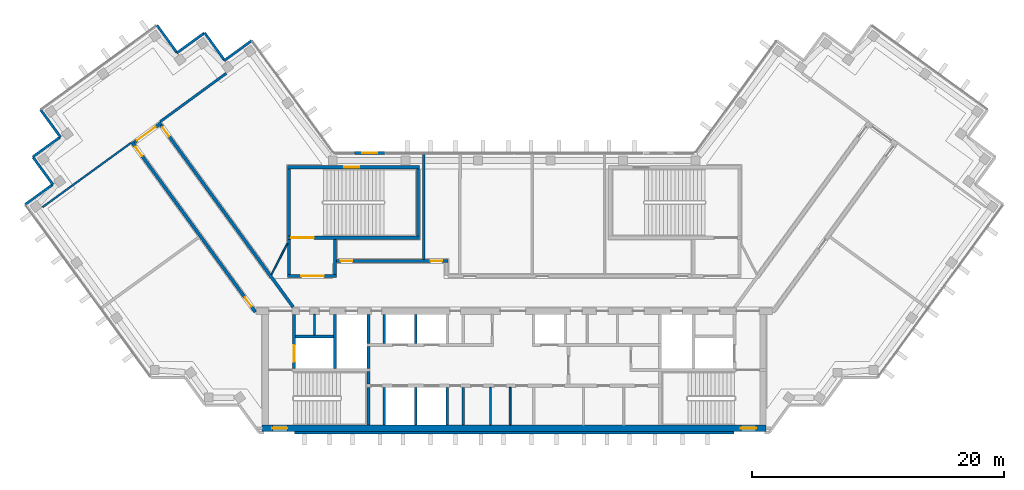
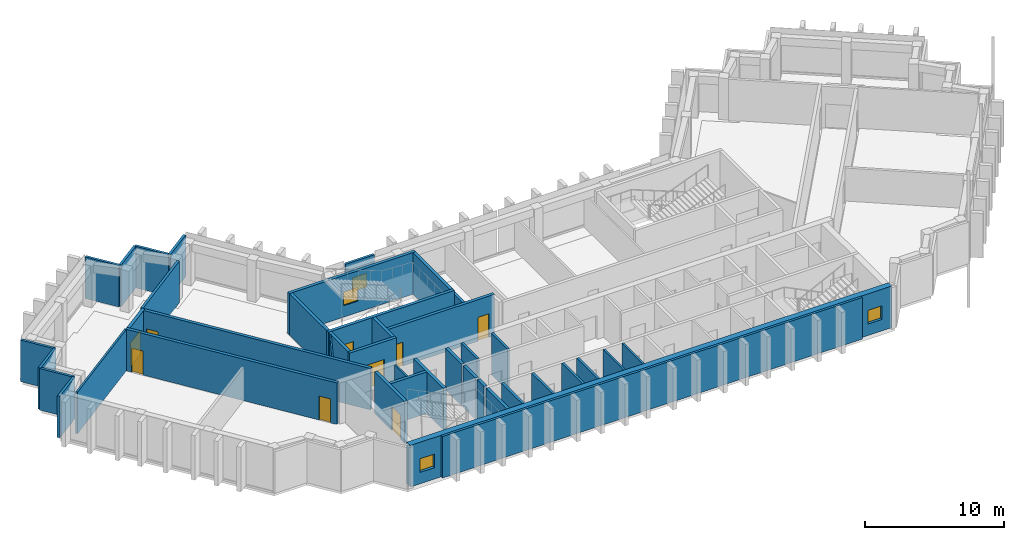
# One storey, part 4 of 10: 42 walls, 9 doors, 4 windows, 13 openings.
"""IFC4 building model written with IfcOpenShell, lengths in metres."""

from ifc_helpers import new_model, si_unit, direction, frame, frame_2d, origin, place, context, subcontext, project, spatial, rectangle, extrude, material, layer, layer_set, type_object, element, fill, save


model = new_model("IFC4")

# Units and contexts
model_context = context("Model", 3, precision=1e-05, world=origin(), true_north=direction((0.0, 1.0)))
body_context = subcontext(model_context, "Body", "Model", "MODEL_VIEW")
ifc_project = project(units=[si_unit("LENGTHUNIT", "METRE"), si_unit("AREAUNIT", "SQUARE_METRE"), si_unit("VOLUMEUNIT", "CUBIC_METRE"), si_unit("PLANEANGLEUNIT", "RADIAN"), si_unit("MASSUNIT", "GRAM", prefix="KILO")], contexts=[model_context])

# Site, building, storey
site_placement = place(None, origin())
site = spatial("IfcSite", under=ifc_project, at=site_placement, CompositionType="ELEMENT")
building_placement = place(site_placement, origin())
building = spatial("IfcBuilding", under=site, at=building_placement, Name="Quipu Civic Tower", CompositionType="ELEMENT")
storey_placement = place(building_placement, frame((0.0, 0.0, 339.0)))
storey = spatial("IfcBuildingStorey", under=building, at=storey_placement, Name="L79", CompositionType="ELEMENT", Elevation=339.0)

# Walls
ifc_material_1 = material(Name="Double gypsum plasterboard with mineral wool")
ifc_layer_1 = layer(ifc_material_1, 0.14990234375)
ifc_layer_set_1 = layer_set([ifc_layer_1], Name="Double gypsum plasterboard with mineral wool")
wall_type_1 = type_object("IfcWallType", Name="Acoustic partition 150 plasterboard", PredefinedType="PARTITIONING", material=ifc_layer_set_1)
wall_1_placement = place(storey_placement, frame((-37.42919921875, 6.805419921875, 0.0), z_axis=(0.0, 0.0, 1.0), x_axis=(0.809020922653, 0.587779845444, 0.0)))
element("IfcWall", 1, at=wall_1_placement, inside=storey, type_object=wall_type_1, Name="Partition P04", PredefinedType="PARTITIONING", context=body_context, shape_type="SweptSolid", body=[
    extrude(rectangle(XDim=8.670166015625, YDim=0.14990234375, at=frame_2d((4.3349609375, 0.0))), origin(), (0.0, 0.0, 1.0), 3.64990234375),
])
ifc_material_2 = material(Name="Fired clay blockwork", Category="masonry")
ifc_layer_2 = layer(ifc_material_2, 0.199951171875)
ifc_layer_set_2 = layer_set([ifc_layer_2], Name="Fired clay blockwork")
wall_type_2 = type_object("IfcWallType", Name="Blockwork wall 200", PredefinedType="SOLIDWALL", material=ifc_layer_set_2)
wall_2_placement = place(storey_placement, frame((-28.101318359375, 13.58251953125, 0.0), z_axis=(0.0, 0.0, 1.0), x_axis=(0.80699548015, 0.590557613631, 0.0)))
element("IfcWall", 2, at=wall_2_placement, inside=storey, type_object=wall_type_2, Name="Partition P03", PredefinedType="SOLIDWALL", context=body_context, shape_type="SweptSolid", body=[
    extrude(rectangle(XDim=6.515380859375, YDim=0.199951171875, at=frame_2d((3.2578125, 0.0))), origin(), (0.0, 0.0, 1.0), 3.64990234375),
])
wall_3_placement = place(storey_placement, frame((-7.177978515625, 11.0, 0.0), z_axis=(0.0, 0.0, 1.0), x_axis=(0.0, -1.0, 0.0)))
element("IfcWall", 3, at=wall_3_placement, inside=storey, type_object=wall_type_2, Name="Partition P08", PredefinedType="SOLIDWALL", context=body_context, shape_type="SweptSolid", body=[
    extrude(rectangle(XDim=8.35009765625, YDim=0.199951171875, at=frame_2d((4.175048828125, 0.0))), origin(), (0.0, 0.0, 1.0), 2.949951171875),
])
ifc_material_3 = material(Name="Concrete C70/85", Category="concrete")
ifc_layer_3 = layer(ifc_material_3, 0.25)
ifc_layer_set_3 = layer_set([ifc_layer_3], Name="Concrete C70/85")
wall_type_3 = type_object("IfcWallType", Name="Core wall 250", PredefinedType="SHEAR", material=ifc_layer_set_3)
wall_4_placement = place(storey_placement, frame((-11.574951171875, -10.5, 0.0), z_axis=(0.0, 0.0, 1.0), x_axis=(0.0, 1.0, 0.0)))
element("IfcWall", 4, at=wall_4_placement, inside=storey, type_object=wall_type_3, Name="Core wall", PredefinedType="SHEAR", context=body_context, shape_type="SweptSolid", body=[
    extrude(rectangle(XDim=3.0, YDim=0.25, at=frame_2d((1.5, 0.0))), origin(), (0.0, 0.0, 1.0), 3.64990234375),
])
wall_5_placement = place(storey_placement, frame((-11.574951171875, -7.25, 0.0), z_axis=(0.0, 0.0, 1.0), x_axis=(0.0, 1.0, 0.0)))
element("IfcWall", 5, at=wall_5_placement, inside=storey, type_object=wall_type_3, Name="Core wall", PredefinedType="SHEAR", context=body_context, shape_type="SweptSolid", body=[
    extrude(rectangle(XDim=1.0, YDim=0.25, at=frame_2d((0.5, 0.0))), origin(), (0.0, 0.0, 1.0), 3.64990234375),
])

# Wall, opening, door
wall_6_placement = place(storey_placement, frame((-17.47509765625, -6.0, 0.0), z_axis=(0.0, 0.0, 1.0), x_axis=(0.0, 1.0, 0.0)))
wall_6 = element("IfcWall", 6, at=wall_6_placement, inside=storey, type_object=wall_type_3, Name="Core wall", PredefinedType="SHEAR", context=body_context, shape_type="SweptSolid", body=[
    extrude(rectangle(XDim=4.300048828125, YDim=0.25, at=frame_2d((2.14990234375, 0.0))), origin(), (0.0, 0.0, 1.0), 3.64990234375),
])
opening_1_placement = place(wall_6_placement, frame((0.550048828125, 0.0, 0.0)))
opening_1 = element("IfcOpeningElement", 7, at=opening_1_placement, cuts=wall_6, Name="Opening LD-FF1", PredefinedType="OPENING", context=body_context, shape_type="SweptSolid", body=[
    extrude(rectangle(XDim=1.300048828125, YDim=2.10009765625, at=frame_2d((0.64990234375, 1.050048828125))), frame((0.0, 0.135009765625, 0.0), z_axis=(0.0, -1.0, 0.0), x_axis=(1.0, 0.0, 0.0)), (0.0, 0.0, 1.0), 0.27001953125),
])
ifc_material_4 = material(Name="Stainless steel", Category="steel")
door_type_1 = type_object("IfcDoorType", Name="Lift landing door 1300 x 2100", OperationType="DOUBLE_DOOR_SLIDING", PredefinedType="DOOR", material=ifc_material_4)
door_1_placement = place(opening_1_placement, origin())
door_1 = element("IfcDoor", 8, at=door_1_placement, inside=storey, type_object=door_type_1, Name="Landing door FF1", OperationType="DOUBLE_DOOR_SLIDING", OverallHeight=2.10009765625, OverallWidth=1.300048828125, PredefinedType="DOOR", context=body_context, shape_type="SweptSolid", body=[
    extrude(rectangle(XDim=1.300048828125, YDim=2.10009765625, at=frame_2d((0.64990234375, 1.050048828125))), frame((0.0, 0.02490234375, 0.0), z_axis=(0.0, -1.0, 0.0), x_axis=(1.0, 0.0, 0.0)), (0.0, 0.0, 1.0), 0.050048828125),
])
fill(opening_1, door_1)

# Walls
wall_7_placement = place(storey_placement, frame((-14.22509765625, -6.0, 0.0), z_axis=(0.0, 0.0, 1.0), x_axis=(0.0, 1.0, 0.0)))
element("IfcWall", 9, at=wall_7_placement, inside=storey, type_object=wall_type_3, Name="Core wall", PredefinedType="SHEAR", context=body_context, shape_type="SweptSolid", body=[
    extrude(rectangle(XDim=4.300048828125, YDim=0.25, at=frame_2d((2.14990234375, 0.0))), origin(), (0.0, 0.0, 1.0), 3.64990234375),
])
wall_8_placement = place(storey_placement, frame((-11.574951171875, -6.0, 0.0), z_axis=(0.0, 0.0, 1.0), x_axis=(0.0, 1.0, 0.0)))
element("IfcWall", 10, at=wall_8_placement, inside=storey, type_object=wall_type_3, Name="Core wall", PredefinedType="SHEAR", context=body_context, shape_type="SweptSolid", body=[
    extrude(rectangle(XDim=1.75, YDim=0.25, at=frame_2d((0.875, 0.0))), origin(), (0.0, 0.0, 1.0), 3.64990234375),
])
wall_9_placement = place(storey_placement, frame((-11.574951171875, -4.0, 0.0), z_axis=(0.0, 0.0, 1.0), x_axis=(0.0, 1.0, 0.0)))
element("IfcWall", 11, at=wall_9_placement, inside=storey, type_object=wall_type_3, Name="Core wall", PredefinedType="SHEAR", context=body_context, shape_type="SweptSolid", body=[
    extrude(rectangle(XDim=2.300048828125, YDim=0.25, at=frame_2d((1.14990234375, 0.0))), origin(), (0.0, 0.0, 1.0), 3.64990234375),
])
wall_10_placement = place(storey_placement, frame((-17.35009765625, -3.47509765625, 0.0), z_axis=(0.0, 0.0, 1.0), x_axis=(1.0, 0.0, 0.0)))
element("IfcWall", 12, at=wall_10_placement, inside=storey, type_object=wall_type_3, Name="Core wall", PredefinedType="SHEAR", context=body_context, shape_type="SweptSolid", body=[
    extrude(rectangle(XDim=3.0, YDim=0.25, at=frame_2d((1.5, 0.0))), origin(), (0.0, 0.0, 1.0), 3.64990234375),
])

# Wall, opening, door
wall_11_placement = place(storey_placement, frame((-18.0, 1.324951171875, 0.0), z_axis=(0.0, 0.0, 1.0), x_axis=(1.0, 0.0, 0.0)))
wall_11 = element("IfcWall", 13, at=wall_11_placement, inside=storey, type_object=wall_type_3, Name="Core wall", PredefinedType="SHEAR", context=body_context, shape_type="SweptSolid", body=[
    extrude(rectangle(XDim=3.89990234375, YDim=0.25, at=frame_2d((1.949951171875, 0.0))), origin(), (0.0, 0.0, 1.0), 3.64990234375),
])
opening_2_placement = place(wall_11_placement, frame((1.10009765625, 0.0, 0.0)))
opening_2 = element("IfcOpeningElement", 14, at=opening_2_placement, cuts=wall_11, Name="Opening CD-27", PredefinedType="OPENING", context=body_context, shape_type="SweptSolid", body=[
    extrude(rectangle(XDim=1.800048828125, YDim=2.10009765625, at=frame_2d((0.89990234375, 1.050048828125))), frame((0.0, 0.135009765625, 0.0), z_axis=(0.0, -1.0, 0.0), x_axis=(1.0, 0.0, 0.0)), (0.0, 0.0, 1.0), 0.27001953125),
])
ifc_material_5 = material(Name="Fire rated steel door", Category="steel")
door_type_2 = type_object("IfcDoorType", Name="Fire door FD90 double 1800 x 2100", OperationType="NOTDEFINED", PredefinedType="DOOR", material=ifc_material_5)
door_2_placement = place(opening_2_placement, origin())
door_2 = element("IfcDoor", 15, at=door_2_placement, inside=storey, type_object=door_type_2, Name="Lobby door", OperationType="DOUBLE_DOOR_SINGLE_SWING", OverallHeight=2.10009765625, OverallWidth=1.800048828125, PredefinedType="DOOR", context=body_context, shape_type="SweptSolid", body=[
    extrude(rectangle(XDim=1.800048828125, YDim=2.10009765625, at=frame_2d((0.89990234375, 1.050048828125))), frame((0.0, 0.02490234375, 0.0), z_axis=(0.0, -1.0, 0.0), x_axis=(1.0, 0.0, 0.0)), (0.0, 0.0, 1.0), 0.050048828125),
])
fill(opening_2, door_2)

# Walls
for number, where, z_axis, x_axis, name in (
    (16, (-17.875, 1.449951171875, 0.0), (0.0, 0.0, 1.0), (0.0, 1.0, 0.0), "Core wall"),
    (17, (-14.22509765625, 1.449951171875, 0.0), (0.0, 0.0, 1.0), (0.0, 1.0, 0.0), "Core wall"),
):
    element("IfcWall", number, at=place(storey_placement, frame(where, z_axis=z_axis, x_axis=x_axis)), inside=storey, type_object=wall_type_3, Name=name, PredefinedType="SHEAR", context=body_context, shape_type="SweptSolid", body=[
        extrude(rectangle(XDim=2.800048828125, YDim=0.25, at=frame_2d((1.39990234375, 0.0))), origin(), (0.0, 0.0, 1.0), 3.64990234375),
    ])

# Wall, opening, door
wall_12_placement = place(storey_placement, frame((-18.0, 4.375, 0.0), z_axis=(0.0, 0.0, 1.0), x_axis=(1.0, 0.0, 0.0)))
wall_12 = element("IfcWall", 18, at=wall_12_placement, inside=storey, type_object=wall_type_3, Name="Core wall", PredefinedType="SHEAR", context=body_context, shape_type="SweptSolid", body=[
    extrude(rectangle(XDim=10.5, YDim=0.25, at=frame_2d((5.25, 0.0))), origin(), (0.0, 0.0, 1.0), 3.64990234375),
])
opening_3_placement = place(wall_12_placement, frame((0.300048828125, 0.0, 0.0)))
opening_3 = element("IfcOpeningElement", 19, at=opening_3_placement, cuts=wall_12, Name="Opening CD-28", PredefinedType="OPENING", context=body_context, shape_type="SweptSolid", body=[
    extrude(rectangle(XDim=1.800048828125, YDim=2.10009765625, at=frame_2d((0.89990234375, 1.050048828125))), frame((0.0, 0.135009765625, 0.0), z_axis=(0.0, -1.0, 0.0), x_axis=(1.0, 0.0, 0.0)), (0.0, 0.0, 1.0), 0.27001953125),
])
door_3_placement = place(opening_3_placement, origin())
door_3 = element("IfcDoor", 20, at=door_3_placement, inside=storey, type_object=door_type_2, Name="Door", OperationType="DOUBLE_DOOR_SINGLE_SWING", OverallHeight=2.10009765625, OverallWidth=1.800048828125, PredefinedType="DOOR", context=body_context, shape_type="SweptSolid", body=[
    extrude(rectangle(XDim=1.800048828125, YDim=2.10009765625, at=frame_2d((0.89990234375, 1.050048828125))), frame((0.0, 0.02490234375, 0.0), z_axis=(0.0, -1.0, 0.0), x_axis=(1.0, 0.0, 0.0)), (0.0, 0.0, 1.0), 0.050048828125),
])
fill(opening_3, door_3)

# Walls
for number, where, z_axis, x_axis, name in (
    (21, (-17.875, 4.5, 0.0), (0.0, 0.0, 1.0), (0.0, 1.0, 0.0), "Core wall"),
    (22, (-7.625, 4.5, 0.0), (0.0, 0.0, 1.0), (0.0, 1.0, 0.0), "Core wall"),
):
    element("IfcWall", number, at=place(storey_placement, frame(where, z_axis=z_axis, x_axis=x_axis)), inside=storey, type_object=wall_type_3, Name=name, PredefinedType="SHEAR", context=body_context, shape_type="SweptSolid", body=[
        extrude(rectangle(XDim=5.35009765625, YDim=0.25, at=frame_2d((2.675048828125, 0.0))), origin(), (0.0, 0.0, 1.0), 3.64990234375),
    ])

# Wall, opening, window
wall_13_placement = place(storey_placement, frame((-18.0, 9.97509765625, 0.0), z_axis=(0.0, 0.0, 1.0), x_axis=(1.0, 0.0, 0.0)))
wall_13 = element("IfcWall", 23, at=wall_13_placement, inside=storey, type_object=wall_type_3, Name="Core wall", PredefinedType="SHEAR", context=body_context, shape_type="SweptSolid", body=[
    extrude(rectangle(XDim=10.5, YDim=0.25, at=frame_2d((5.25, 0.0))), origin(), (0.0, 0.0, 1.0), 3.64990234375),
])
opening_4_placement = place(wall_13_placement, frame((4.5, 0.0, 1.0)))
opening_4 = element("IfcOpeningElement", 24, at=opening_4_placement, cuts=wall_13, Name="Opening SV-3", PredefinedType="OPENING", context=body_context, shape_type="SweptSolid", body=[
    extrude(rectangle(XDim=1.199951171875, YDim=1.199951171875, at=frame_2d((0.60009765625, 0.60009765625))), frame((0.0, 0.135009765625, 0.0), z_axis=(0.0, -1.0, 0.0), x_axis=(1.0, 0.0, 0.0)), (0.0, 0.0, 1.0), 0.27001953125),
])
ifc_material_6 = material(Name="Aluminium louvre", Category="aluminium")
window_type_1 = type_object("IfcWindowType", Name="Stair ventilation louvre 1200 x 1200", PartitioningType="SINGLE_PANEL", PredefinedType="WINDOW", material=ifc_material_6)
window_1_placement = place(opening_4_placement, origin())
window_1 = element("IfcWindow", 25, at=window_1_placement, inside=storey, type_object=window_type_1, Name="Stair ventilation opening", OverallHeight=1.199951171875, OverallWidth=1.199951171875, PartitioningType="SINGLE_PANEL", PredefinedType="WINDOW", context=body_context, shape_type="SweptSolid", body=[
    extrude(rectangle(XDim=1.199951171875, YDim=1.199951171875, at=frame_2d((0.60009765625, 0.60009765625))), frame((0.0, 0.030029296875, 0.0), z_axis=(0.0, -1.0, 0.0), x_axis=(1.0, 0.0, 0.0)), (0.0, 0.0, 1.0), 0.06005859375),
])
fill(opening_4, window_1)

# Wall, openings, windows
ifc_material_7 = material(Name="Concrete C70/85", Category="concrete")
ifc_layer_4 = layer(ifc_material_7, 0.5)
ifc_layer_set_4 = layer_set([ifc_layer_4], Name="Concrete C70/85")
wall_type_4 = type_object("IfcWallType", Name="Core wall 500", PredefinedType="SHEAR", material=ifc_layer_set_4)
wall_14_placement = place(storey_placement, frame((-20.0, -10.75, 0.0), z_axis=(0.0, 0.0, 1.0), x_axis=(1.0, 0.0, 0.0)))
wall_14 = element("IfcWall", 26, at=wall_14_placement, inside=storey, type_object=wall_type_4, Name="Core wall", PredefinedType="SHEAR", context=body_context, shape_type="SweptSolid", body=[
    extrude(rectangle(XDim=40.0, YDim=0.5, at=frame_2d((20.0, 0.0))), origin(), (0.0, 0.0, 1.0), 3.64990234375),
])
opening_5_placement = place(wall_14_placement, frame((0.800048828125, 0.0, 1.0)))
opening_5 = element("IfcOpeningElement", 27, at=opening_5_placement, cuts=wall_14, Name="Opening SV-1", PredefinedType="OPENING", context=body_context, shape_type="SweptSolid", body=[
    extrude(rectangle(XDim=1.199951171875, YDim=1.199951171875, at=frame_2d((0.60009765625, 0.60009765625))), frame((0.0, 0.260009765625, 0.0), z_axis=(0.0, -1.0, 0.0), x_axis=(1.0, 0.0, 0.0)), (0.0, 0.0, 1.0), 0.52001953125),
])
opening_6_placement = place(wall_14_placement, frame((38.0, 0.0, 1.0)))
opening_6 = element("IfcOpeningElement", 28, at=opening_6_placement, cuts=wall_14, Name="Opening SV-2", PredefinedType="OPENING", context=body_context, shape_type="SweptSolid", body=[
    extrude(rectangle(XDim=1.199951171875, YDim=1.199951171875, at=frame_2d((0.60009765625, 0.60009765625))), frame((0.0, 0.260009765625, 0.0), z_axis=(0.0, -1.0, 0.0), x_axis=(1.0, 0.0, 0.0)), (0.0, 0.0, 1.0), 0.52001953125),
])
window_2_placement = place(opening_5_placement, origin())
window_2 = element("IfcWindow", 29, at=window_2_placement, inside=storey, type_object=window_type_1, Name="Stair ventilation opening", OverallHeight=1.199951171875, OverallWidth=1.199951171875, PartitioningType="SINGLE_PANEL", PredefinedType="WINDOW", context=body_context, shape_type="SweptSolid", body=[
    extrude(rectangle(XDim=1.199951171875, YDim=1.199951171875, at=frame_2d((0.60009765625, 0.60009765625))), frame((0.0, 0.030029296875, 0.0), z_axis=(0.0, -1.0, 0.0), x_axis=(1.0, 0.0, 0.0)), (0.0, 0.0, 1.0), 0.06005859375),
])
fill(opening_5, window_2)
window_3_placement = place(opening_6_placement, origin())
window_3 = element("IfcWindow", 30, at=window_3_placement, inside=storey, type_object=window_type_1, Name="Stair ventilation opening", OverallHeight=1.199951171875, OverallWidth=1.199951171875, PartitioningType="SINGLE_PANEL", PredefinedType="WINDOW", context=body_context, shape_type="SweptSolid", body=[
    extrude(rectangle(XDim=1.199951171875, YDim=1.199951171875, at=frame_2d((0.60009765625, 0.60009765625))), frame((0.0, 0.030029296875, 0.0), z_axis=(0.0, -1.0, 0.0), x_axis=(1.0, 0.0, 0.0)), (0.0, 0.0, 1.0), 0.06005859375),
])
fill(opening_6, window_3)

# Wall, openings, doors
ifc_material_8 = material(Name="Concrete C50/60", Category="concrete")
ifc_layer_5 = layer(ifc_material_8, 0.25)
ifc_layer_set_5 = layer_set([ifc_layer_5], Name="Concrete C50/60")
wall_type_5 = type_object("IfcWallType", Name="Corridor wall 250 concrete", PredefinedType="SOLIDWALL", material=ifc_layer_set_5)
wall_15_placement = place(storey_placement, frame((-20.531005859375, -1.5234375, 0.0), z_axis=(0.0, 0.0, 1.0), x_axis=(-0.587785867777, 0.809016547199, 0.0)))
wall_15 = element("IfcWall", 31, at=wall_15_placement, inside=storey, type_object=wall_type_5, Name="Corridor wall C04", PredefinedType="SOLIDWALL", context=body_context, shape_type="SweptSolid", body=[
    extrude(rectangle(XDim=16.67041015625, YDim=0.25, at=frame_2d((8.335205078125, 0.0))), origin(), (0.0, 0.0, 1.0), 3.64990234375),
])
opening_7_placement = place(wall_15_placement, frame((0.53271484375, 0.0, 0.0)))
opening_7 = element("IfcOpeningElement", 32, at=opening_7_placement, cuts=wall_15, Name="Opening D012", PredefinedType="OPENING", context=body_context, shape_type="SweptSolid", body=[
    extrude(rectangle(XDim=0.89990234375, YDim=2.10009765625, at=frame_2d((0.449951171875, 1.050048828125))), frame((0.0, 0.135009765625, 0.0), z_axis=(0.0, -1.0, 0.0), x_axis=(1.0, 0.0, 0.0)), (0.0, 0.0, 1.0), 0.27001953125),
])
opening_8_placement = place(wall_15_placement, frame((15.2958984375, 0.0, 0.0)))
opening_8 = element("IfcOpeningElement", 33, at=opening_8_placement, cuts=wall_15, Name="Opening D011", PredefinedType="OPENING", context=body_context, shape_type="SweptSolid", body=[
    extrude(rectangle(XDim=0.89990234375, YDim=2.10009765625, at=frame_2d((0.449951171875, 1.050048828125))), frame((0.0, 0.135009765625, 0.0), z_axis=(0.0, -1.0, 0.0), x_axis=(1.0, 0.0, 0.0)), (0.0, 0.0, 1.0), 0.27001953125),
])
ifc_material_9 = material(Name="Fire rated timber door set with metal frame", Category="wood")
door_type_3 = type_object("IfcDoorType", Name="Single door 900 x 2100 FD60", OperationType="NOTDEFINED", PredefinedType="DOOR", material=ifc_material_9)
door_4_placement = place(opening_7_placement, origin())
door_4 = element("IfcDoor", 34, at=door_4_placement, inside=storey, type_object=door_type_3, Name="Door D012", OperationType="SINGLE_SWING_LEFT", OverallHeight=2.10009765625, OverallWidth=0.89990234375, PredefinedType="DOOR", context=body_context, shape_type="SweptSolid", body=[
    extrude(rectangle(XDim=0.89990234375, YDim=2.10009765625, at=frame_2d((0.449951171875, 1.050048828125))), frame((0.0, 0.02490234375, 0.0), z_axis=(0.0, -1.0, 0.0), x_axis=(1.0, 0.0, 0.0)), (0.0, 0.0, 1.0), 0.050048828125),
])
fill(opening_7, door_4)
door_5_placement = place(opening_8_placement, origin())
door_5 = element("IfcDoor", 35, at=door_5_placement, inside=storey, type_object=door_type_3, Name="Door D011", OperationType="SINGLE_SWING_RIGHT", OverallHeight=2.10009765625, OverallWidth=0.89990234375, PredefinedType="DOOR", context=body_context, shape_type="SweptSolid", body=[
    extrude(rectangle(XDim=0.89990234375, YDim=2.10009765625, at=frame_2d((0.449951171875, 1.050048828125))), frame((0.0, 0.02490234375, 0.0), z_axis=(0.0, -1.0, 0.0), x_axis=(1.0, 0.0, 0.0)), (0.0, 0.0, 1.0), 0.050048828125),
])
fill(opening_8, door_5)

# Wall, opening, door
wall_16_placement = place(storey_placement, frame((-30.155029296875, 11.935546875, 0.0), z_axis=(0.0, 0.0, 1.0), x_axis=(0.809038743598, 0.587755315891, 0.0)))
wall_16 = element("IfcWall", 36, at=wall_16_placement, inside=storey, type_object=wall_type_5, Name="Corridor wall C05", PredefinedType="SOLIDWALL", context=body_context, shape_type="SweptSolid", body=[
    extrude(rectangle(XDim=2.650146484375, YDim=0.25, at=frame_2d((1.3251953125, 0.0))), origin(), (0.0, 0.0, 1.0), 3.64990234375),
])
opening_9_placement = place(wall_16_placement, frame((0.2998046875, 0.0, 0.0)))
opening_9 = element("IfcOpeningElement", 37, at=opening_9_placement, cuts=wall_16, Name="Opening D013", PredefinedType="OPENING", context=body_context, shape_type="SweptSolid", body=[
    extrude(rectangle(XDim=1.800048828125, YDim=2.10009765625, at=frame_2d((0.89990234375, 1.050048828125))), frame((0.0, 0.135009765625, 0.0), z_axis=(0.0, -1.0, 0.0), x_axis=(1.0, 0.0, 0.0)), (0.0, 0.0, 1.0), 0.27001953125),
])
ifc_material_10 = material(Name="Fire rated timber door set with metal frame", Category="wood")
door_type_4 = type_object("IfcDoorType", Name="Double door 1800 x 2100 FD60", OperationType="DOUBLE_DOOR_SINGLE_SWING", PredefinedType="DOOR", material=ifc_material_10)
door_6_placement = place(opening_9_placement, origin())
door_6 = element("IfcDoor", 38, at=door_6_placement, inside=storey, type_object=door_type_4, Name="Door D013", OperationType="DOUBLE_DOOR_SINGLE_SWING", OverallHeight=2.10009765625, OverallWidth=1.800048828125, PredefinedType="DOOR", context=body_context, shape_type="SweptSolid", body=[
    extrude(rectangle(XDim=1.800048828125, YDim=2.10009765625, at=frame_2d((0.89990234375, 1.050048828125))), frame((0.0, 0.02490234375, 0.0), z_axis=(0.0, -1.0, 0.0), x_axis=(1.0, 0.0, 0.0)), (0.0, 0.0, 1.0), 0.050048828125),
])
fill(opening_9, door_6)

wall_17_placement = place(storey_placement, frame((-28.038818359375, 13.318603515625, 0.0), z_axis=(0.0, 0.0, 1.0), x_axis=(0.587791911753, -0.809012155952, 0.0)))
wall_17 = element("IfcWall", 39, at=wall_17_placement, inside=storey, type_object=wall_type_5, Name="Corridor wall C06", PredefinedType="SOLIDWALL", context=body_context, shape_type="SweptSolid", body=[
    extrude(rectangle(XDim=17.85302734375, YDim=0.25, at=frame_2d((8.926513671875, 0.0))), origin(), (0.0, 0.0, 1.0), 3.64990234375),
])
opening_10_placement = place(wall_17_placement, frame((0.224853515625, 0.0, 0.0)))
opening_10 = element("IfcOpeningElement", 40, at=opening_10_placement, cuts=wall_17, Name="Opening D010", PredefinedType="OPENING", context=body_context, shape_type="SweptSolid", body=[
    extrude(rectangle(XDim=0.89990234375, YDim=2.10009765625, at=frame_2d((0.449951171875, 1.050048828125))), frame((0.0, 0.135009765625, 0.0), z_axis=(0.0, -1.0, 0.0), x_axis=(1.0, 0.0, 0.0)), (0.0, 0.0, 1.0), 0.27001953125),
])
door_7_placement = place(opening_10_placement, origin())
door_7 = element("IfcDoor", 41, at=door_7_placement, inside=storey, type_object=door_type_3, Name="Door D010", OperationType="SINGLE_SWING_LEFT", OverallHeight=2.10009765625, OverallWidth=0.89990234375, PredefinedType="DOOR", context=body_context, shape_type="SweptSolid", body=[
    extrude(rectangle(XDim=0.89990234375, YDim=2.10009765625, at=frame_2d((0.449951171875, 1.050048828125))), frame((0.0, 0.02490234375, 0.0), z_axis=(0.0, -1.0, 0.0), x_axis=(1.0, 0.0, 0.0)), (0.0, 0.0, 1.0), 0.050048828125),
])
fill(opening_10, door_7)

# Wall, openings, doors
wall_18_placement = place(storey_placement, frame((-14.090087890625, 2.52490234375, 0.0), z_axis=(0.0, 0.0, 1.0), x_axis=(1.0, 0.0, 0.0)))
wall_18 = element("IfcWall", 42, at=wall_18_placement, inside=storey, type_object=wall_type_5, Name="Corridor wall C07", PredefinedType="SOLIDWALL", context=body_context, shape_type="SweptSolid", body=[
    extrude(rectangle(XDim=8.840087890625, YDim=0.25, at=frame_2d((4.419921875, 0.0))), origin(), (0.0, 0.0, 1.0), 3.64990234375),
])
opening_11_placement = place(wall_18_placement, frame((7.466064453125, 0.0, 0.0)))
opening_11 = element("IfcOpeningElement", 43, at=opening_11_placement, cuts=wall_18, Name="Opening D006", PredefinedType="OPENING", context=body_context, shape_type="SweptSolid", body=[
    extrude(rectangle(XDim=0.89990234375, YDim=2.10009765625, at=frame_2d((0.449951171875, 1.050048828125))), frame((0.0, 0.135009765625, 0.0), z_axis=(0.0, -1.0, 0.0), x_axis=(1.0, 0.0, 0.0)), (0.0, 0.0, 1.0), 0.27001953125),
])
opening_12_placement = place(wall_18_placement, frame((0.340087890625, 0.0, 0.0)))
opening_12 = element("IfcOpeningElement", 44, at=opening_12_placement, cuts=wall_18, Name="Opening D005", PredefinedType="OPENING", context=body_context, shape_type="SweptSolid", body=[
    extrude(rectangle(XDim=0.89990234375, YDim=2.10009765625, at=frame_2d((0.449951171875, 1.050048828125))), frame((0.0, 0.135009765625, 0.0), z_axis=(0.0, -1.0, 0.0), x_axis=(1.0, 0.0, 0.0)), (0.0, 0.0, 1.0), 0.27001953125),
])
door_8_placement = place(opening_11_placement, origin())
door_8 = element("IfcDoor", 45, at=door_8_placement, inside=storey, type_object=door_type_3, Name="Door D006", OperationType="SINGLE_SWING_RIGHT", OverallHeight=2.10009765625, OverallWidth=0.89990234375, PredefinedType="DOOR", context=body_context, shape_type="SweptSolid", body=[
    extrude(rectangle(XDim=0.89990234375, YDim=2.10009765625, at=frame_2d((0.449951171875, 1.050048828125))), frame((0.0, 0.02490234375, 0.0), z_axis=(0.0, -1.0, 0.0), x_axis=(1.0, 0.0, 0.0)), (0.0, 0.0, 1.0), 0.050048828125),
])
fill(opening_11, door_8)
door_9_placement = place(opening_12_placement, origin())
door_9 = element("IfcDoor", 46, at=door_9_placement, inside=storey, type_object=door_type_3, Name="Door D005", OperationType="SINGLE_SWING_LEFT", OverallHeight=2.10009765625, OverallWidth=0.89990234375, PredefinedType="DOOR", context=body_context, shape_type="SweptSolid", body=[
    extrude(rectangle(XDim=0.89990234375, YDim=2.10009765625, at=frame_2d((0.449951171875, 1.050048828125))), frame((0.0, 0.02490234375, 0.0), z_axis=(0.0, -1.0, 0.0), x_axis=(1.0, 0.0, 0.0)), (0.0, 0.0, 1.0), 0.050048828125),
])
fill(opening_12, door_9)

# Walls
ifc_material_11 = material(Name="Gypsum plasterboard on light gauge framing")
ifc_layer_6 = layer(ifc_material_11, 0.1201171875)
ifc_layer_set_6 = layer_set([ifc_layer_6], Name="Gypsum plasterboard on light gauge framing")
wall_type_6 = type_object("IfcWallType", Name="Partition 120 plasterboard", PredefinedType="PARTITIONING", material=ifc_layer_set_6)
wall_19_placement = place(storey_placement, frame((-19.260986328125, 1.449951171875, 0.0), z_axis=(0.0, 0.0, 1.0), x_axis=(0.453950796792, 0.891026752736, 0.0)))
element("IfcWall", 47, at=wall_19_placement, inside=storey, type_object=wall_type_6, Name="Partition P12", PredefinedType="PARTITIONING", context=body_context, shape_type="SweptSolid", body=[
    extrude(rectangle(XDim=2.77783203125, YDim=0.1201171875, at=frame_2d((1.388916015625, 0.0))), origin(), (0.0, 0.0, 1.0), 3.64990234375),
])
ifc_material_12 = material(Name="Gypsum board partition")
ifc_layer_7 = layer(ifc_material_12, 0.14990234375)
ifc_layer_set_7 = layer_set([ifc_layer_7], Name="Gypsum board partition")
wall_type_7 = type_object("IfcWallType", Name="Partition 150", PredefinedType="PARTITIONING", material=ifc_layer_set_7)
for number, where, z_axis, x_axis, name in (
    (48, (-1.875, -10.5, 0.0), (0.0, 0.0, 1.0), (0.0, 1.0, 0.0), "Partition"),
    (49, (-0.324951171875, -10.5, 0.0), (0.0, 0.0, 1.0), (0.0, 1.0, 0.0), "Partition"),
):
    element("IfcWall", number, at=place(storey_placement, frame(where, z_axis=z_axis, x_axis=x_axis)), inside=storey, type_object=wall_type_7, Name=name, PredefinedType="PARTITIONING", context=body_context, shape_type="SweptSolid", body=[
        extrude(rectangle(XDim=3.0, YDim=0.14990234375, at=frame_2d((1.5, 0.0))), origin(), (0.0, 0.0, 1.0), 3.64990234375),
    ])
wall_20_placement = place(storey_placement, frame((-15.85009765625, -3.35009765625, 0.0), z_axis=(0.0, 0.0, 1.0), x_axis=(0.0, 1.0, 0.0)))
element("IfcWall", 50, at=wall_20_placement, inside=storey, type_object=wall_type_7, Name="Partition", PredefinedType="PARTITIONING", context=body_context, shape_type="SweptSolid", body=[
    extrude(rectangle(XDim=1.650146484375, YDim=0.14990234375, at=frame_2d((0.8251953125, 0.0))), origin(), (0.0, 0.0, 1.0), 3.64990234375),
])
ifc_material_13 = material(Name="Precast concrete C40/50", Category="concrete")
wall_type_8 = type_object("IfcWallType", Name="Precast cladding wall", PredefinedType="SOLIDWALL", material=ifc_material_13)
for number, where, z_axis, x_axis, name in (
    (51, (-20.828857421875, 20.025390625, 0.0), (0.0, 0.0, 1.0), (-0.808990163075, -0.587822180636, 0.0), "Precast cladding wall L79 P02"),
    (52, (-22.996337890625, 18.465576171875, 0.0), (0.0, 0.0, 1.0), (-0.587762999008, 0.809033161865, 0.0), "Precast cladding wall L79 P03"),
):
    element("IfcWall", number, at=place(storey_placement, frame(where, z_axis=z_axis, x_axis=x_axis)), inside=storey, type_object=wall_type_8, Name=name, PredefinedType="SOLIDWALL", context=body_context, shape_type="SweptSolid", body=[
        extrude(rectangle(XDim=2.699951171875, YDim=0.199951171875, at=frame_2d((1.35009765625, 0.0))), origin(), (0.0, 0.0, 1.0), 3.64990234375),
    ])
for number, where, z_axis, x_axis, name in (
    (53, (-24.60009765625, 20.62255859375, 0.0), (0.0, 0.0, 1.0), (-0.809064397168, -0.587720002413, 0.0), "Precast cladding wall L79 P04"),
    (54, (-26.767578125, 19.062744140625, 0.0), (0.0, 0.0, 1.0), (-0.587720002413, 0.809064397168, 0.0), "Precast cladding wall L79 P05"),
):
    element("IfcWall", number, at=place(storey_placement, frame(where, z_axis=z_axis, x_axis=x_axis)), inside=storey, type_object=wall_type_8, Name=name, PredefinedType="SOLIDWALL", context=body_context, shape_type="SweptSolid", body=[
        extrude(rectangle(XDim=2.7001953125, YDim=0.199951171875, at=frame_2d((1.35009765625, 0.0))), origin(), (0.0, 0.0, 1.0), 3.64990234375),
    ])
for number, where, z_axis, x_axis, name in (
    (55, (-37.591796875, 14.535888671875, 0.0), (0.0, 0.0, 1.0), (0.587762999008, -0.809033161865, 0.0), "Precast cladding wall L79 P07"),
    (56, (-36.031982421875, 12.36865234375, 0.0), (0.0, 0.0, 1.0), (-0.809033161865, -0.587762999008, 0.0), "Precast cladding wall L79 P08"),
    (57, (-38.189208984375, 10.7646484375, 0.0), (0.0, 0.0, 1.0), (0.587822180636, -0.808990163075, 0.0), "Precast cladding wall L79 P09"),
    (58, (-36.62939453125, 8.597412109375, 0.0), (0.0, 0.0, 1.0), (-0.809033161865, -0.587762999008, 0.0), "Precast cladding wall L79 P10"),
):
    element("IfcWall", number, at=place(storey_placement, frame(where, z_axis=z_axis, x_axis=x_axis)), inside=storey, type_object=wall_type_8, Name=name, PredefinedType="SOLIDWALL", context=body_context, shape_type="SweptSolid", body=[
        extrude(rectangle(XDim=2.699951171875, YDim=0.199951171875, at=frame_2d((1.35009765625, 0.0))), origin(), (0.0, 0.0, 1.0), 3.64990234375),
    ])
wall_21_placement = place(storey_placement, frame((-17.44384765625, -11.087890625, 0.0), z_axis=(0.0, 0.0, 1.0), x_axis=(1.0, 0.0, 0.0)))
element("IfcWall", 59, at=wall_21_placement, inside=storey, type_object=wall_type_8, Name="Precast cladding wall L79 P17", PredefinedType="SOLIDWALL", context=body_context, shape_type="SweptSolid", body=[
    extrude(rectangle(XDim=34.8876953125, YDim=0.199951171875, at=frame_2d((17.44384765625, 0.0))), origin(), (0.0, 0.0, 1.0), 3.64990234375),
])

# Wall, opening, window
wall_22_placement = place(storey_placement, frame((-10.263427734375, 11.10009765625, 0.0), z_axis=(0.0, 0.0, 1.0), x_axis=(-1.0, 0.0, 0.0)))
wall_22 = element("IfcWall", 60, at=wall_22_placement, inside=storey, type_object=wall_type_8, Name="Vent surround SF-L77-1", PredefinedType="SOLIDWALL", context=body_context, shape_type="SweptSolid", body=[
    extrude(rectangle(XDim=2.3916015625, YDim=0.199951171875, at=frame_2d((1.19580078125, 0.0))), origin(), (0.0, 0.0, 1.0), 3.64990234375),
])
opening_13_placement = place(wall_22_placement, frame((0.595703125, 0.0, 1.0)))
opening_13 = element("IfcOpeningElement", 61, at=opening_13_placement, cuts=wall_22, Name="Opening SF-L77-1", PredefinedType="OPENING", context=body_context, shape_type="SweptSolid", body=[
    extrude(rectangle(XDim=1.199951171875, YDim=1.199951171875, at=frame_2d((0.60009765625, 0.60009765625))), frame((0.0, 0.10986328125, 0.0), z_axis=(0.0, -1.0, 0.0), x_axis=(1.0, 0.0, 0.0)), (0.0, 0.0, 1.0), 0.219970703125),
])
ifc_material_14 = material(Name="Anodised aluminium louvre", Category="aluminium")
window_type_2 = type_object("IfcWindowType", Name="Stair vent louvre window P3", PartitioningType="SINGLE_PANEL", PredefinedType="WINDOW", material=ifc_material_14)
window_4_placement = place(opening_13_placement, origin())
window_4 = element("IfcWindow", 62, at=window_4_placement, inside=storey, type_object=window_type_2, Name="Stair vent louvre SF-L77-1", OverallHeight=1.199951171875, OverallWidth=1.199951171875, PartitioningType="SINGLE_PANEL", PredefinedType="WINDOW", context=body_context, shape_type="SweptSolid", body=[
    extrude(rectangle(XDim=1.199951171875, YDim=1.199951171875, at=frame_2d((0.60009765625, 0.60009765625))), frame((0.0, 0.030029296875, 0.0), z_axis=(0.0, -1.0, 0.0), x_axis=(1.0, 0.0, 0.0)), (0.0, 0.0, 1.0), 0.06005859375),
])
fill(opening_13, window_4)

# Walls
ifc_material_15 = material(Name="Concrete C40/50", Category="concrete")
ifc_layer_8 = layer(ifc_material_15, 0.199951171875)
ifc_layer_set_8 = layer_set([ifc_layer_8], Name="Concrete C40/50")
wall_type_9 = type_object("IfcWallType", Name="Shaft wall 200", PredefinedType="SOLIDWALL", material=ifc_layer_set_8)
for number, where, z_axis, x_axis, name in (
    (63, (-10.300048828125, -10.5, 0.0), (0.0, 0.0, 1.0), (0.0, 1.0, 0.0), "Shaft wall"),
    (64, (-7.800048828125, -10.5, 0.0), (0.0, 0.0, 1.0), (0.0, 1.0, 0.0), "Shaft wall"),
    (65, (-5.300048828125, -10.5, 0.0), (0.0, 0.0, 1.0), (0.0, 1.0, 0.0), "Shaft wall"),
    (66, (-4.050048828125, -10.5, 0.0), (0.0, 0.0, 1.0), (0.0, 1.0, 0.0), "Shaft wall"),
):
    element("IfcWall", number, at=place(storey_placement, frame(where, z_axis=z_axis, x_axis=x_axis)), inside=storey, type_object=wall_type_9, Name=name, PredefinedType="SOLIDWALL", context=body_context, shape_type="SweptSolid", body=[
        extrude(rectangle(XDim=3.0, YDim=0.199951171875, at=frame_2d((1.5, 0.0))), origin(), (0.0, 0.0, 1.0), 3.64990234375),
    ])
for number, where, z_axis, x_axis, name in (
    (67, (-10.300048828125, -4.0, 0.0), (0.0, 0.0, 1.0), (0.0, 1.0, 0.0), "Shaft wall"),
    (68, (-7.800048828125, -4.0, 0.0), (0.0, 0.0, 1.0), (0.0, 1.0, 0.0), "Shaft wall"),
):
    element("IfcWall", number, at=place(storey_placement, frame(where, z_axis=z_axis, x_axis=x_axis)), inside=storey, type_object=wall_type_9, Name=name, PredefinedType="SOLIDWALL", context=body_context, shape_type="SweptSolid", body=[
        extrude(rectangle(XDim=2.300048828125, YDim=0.199951171875, at=frame_2d((1.14990234375, 0.0))), origin(), (0.0, 0.0, 1.0), 3.64990234375),
    ])

save(model, "model.ifc")
